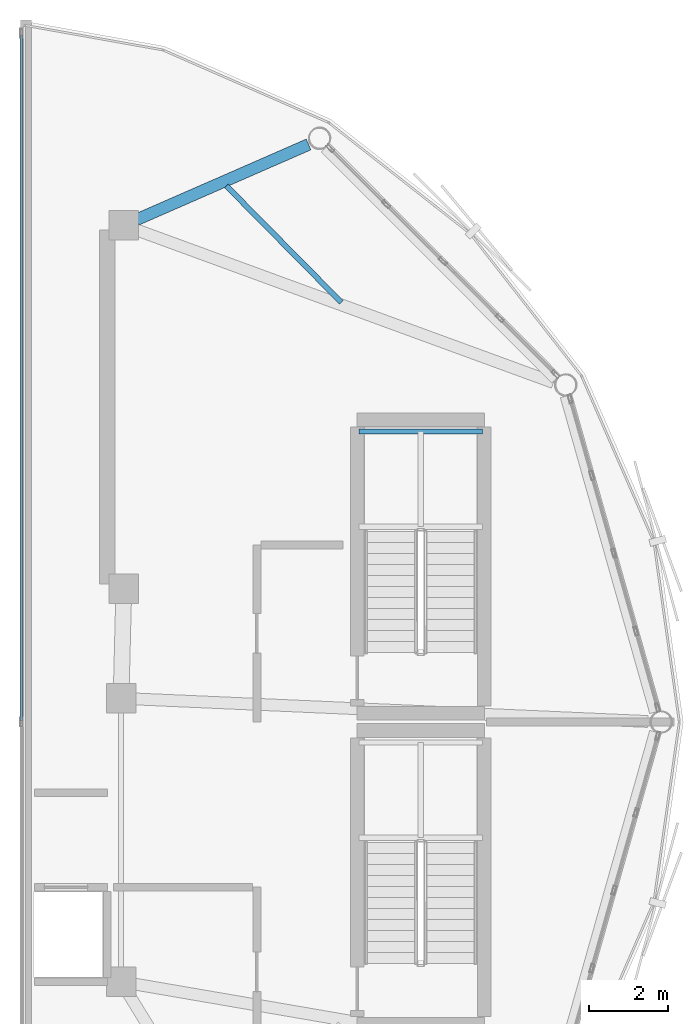
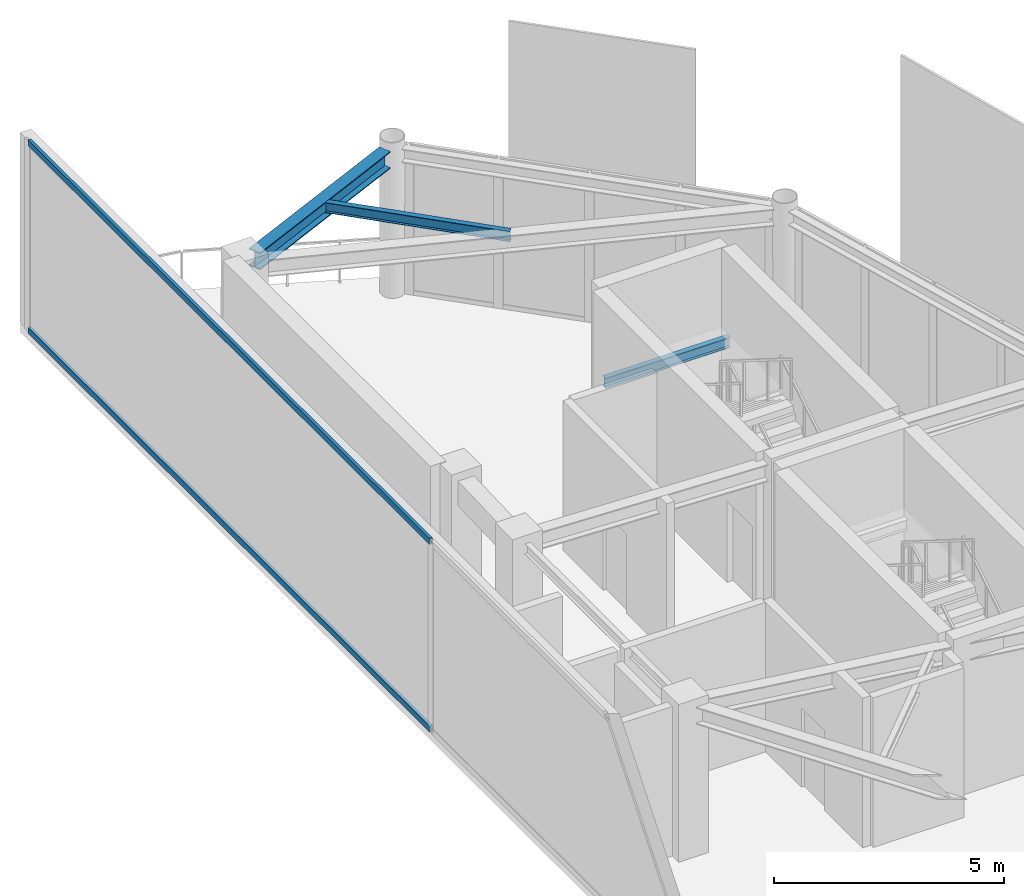
# One storey, part 7 of 13: 3 beams, 2 members, 1 element without a shape of its own.
"""IFC4 building model written with IfcOpenShell, lengths in metres."""

from ifc_helpers import new_model, si_unit, direction, frame, origin, origin_2d, place, context, subcontext, project, spatial, hollow_rectangle, i_section, extrude, material, layer, layer_set, material_profile, profile_set, type_object, element, aggregate, save


model = new_model("IFC4")

# Units and contexts
model_context = context("Model", 3, precision=1e-05, world=origin(), true_north=direction((0.0, 1.0)))
body_context = subcontext(model_context, "Body", "Model", "MODEL_VIEW")
ifc_project = project(units=[si_unit("LENGTHUNIT", "METRE"), si_unit("AREAUNIT", "SQUARE_METRE"), si_unit("VOLUMEUNIT", "CUBIC_METRE"), si_unit("PLANEANGLEUNIT", "RADIAN"), si_unit("MASSUNIT", "GRAM", prefix="KILO")], contexts=[model_context])

# Site, building, storey
site_placement = place(None, origin())
site = spatial("IfcSite", under=ifc_project, at=site_placement, CompositionType="ELEMENT")
building_placement = place(site_placement, origin())
building = spatial("IfcBuilding", under=site, at=building_placement, Name="Varnakorn Sky Granary", CompositionType="ELEMENT")
storey_placement = place(building_placement, frame((0.0, 0.0, 315.0)))
storey = spatial("IfcBuildingStorey", under=building, at=storey_placement, Name="L80", CompositionType="ELEMENT", Elevation=315.0)

# Beams
ifc_material_1 = material(Name="Steel S355JR", Category="steel")
ifc_material_profile_1 = material_profile(ifc_material_1, i_section(OverallWidth=0.135009765625, OverallDepth=0.27001953125, WebThickness=0.006591796875, FlangeThickness=0.01025390625, at=origin_2d()), Name="IPE 270")
ifc_profile_set_1 = profile_set([ifc_material_profile_1], Name="Steel S355JR")
beam_type_1 = type_object("IfcBeamType", Name="BM-LND-270", PredefinedType="BEAM", material=ifc_profile_set_1)
beam_1_placement = place(storey_placement, frame((14.39990234375, 7.3798828125, 1.764892578125), z_axis=(1.0, 0.0, 0.0), x_axis=(0.0, 1.0, 0.0)))
element("IfcBeam", 1, at=beam_1_placement, inside=storey, type_object=beam_type_1, Name="Stair ST-C1 Landing Trimmer Beam B L80-1", PredefinedType="BEAM", context=body_context, shape_type="SweptSolid", body=[
    extrude(i_section(OverallWidth=0.135009765625, OverallDepth=0.27001953125, WebThickness=0.006591796875, FlangeThickness=0.01025390625, at=origin_2d()), origin(), (0.0, 0.0, 1.0), 3.130126953125),
])
ifc_material_profile_2 = material_profile(ifc_material_1, i_section(OverallWidth=0.300048828125, OverallDepth=0.449951171875, WebThickness=0.013916015625, FlangeThickness=0.02587890625, at=origin_2d()), Name="HE 450 B")
ifc_profile_set_2 = profile_set([ifc_material_profile_2], Name="Steel S355JR")
beam_type_2 = type_object("IfcBeamType", Name="BM-RAD-Z5", PredefinedType="BEAM", material=ifc_profile_set_2)
beam_2_placement = place(storey_placement, frame((8.745361328125, 12.76220703125, 3.735107421875), z_axis=(0.916266564139, 0.400569074495, 0.0), x_axis=(-0.400569074495, 0.916266564139, 0.0)))
element("IfcBeam", 2, at=beam_2_placement, inside=storey, type_object=beam_type_2, Name="Radial Floor Girder RG03 L80", PredefinedType="BEAM", context=body_context, shape_type="SweptSolid", body=[
    extrude(i_section(OverallWidth=0.300048828125, OverallDepth=0.449951171875, WebThickness=0.013916015625, FlangeThickness=0.02587890625, at=origin_2d()), origin(), (0.0, 0.0, 1.0), 4.769287109375),
])
ifc_material_profile_3 = material_profile(ifc_material_1, i_section(OverallWidth=0.135009765625, OverallDepth=0.27001953125, WebThickness=0.006591796875, FlangeThickness=0.01025390625, at=origin_2d()), Name="IPE 270")
ifc_profile_set_3 = profile_set([ifc_material_profile_3], Name="Steel S355JR")
beam_type_3 = type_object("IfcBeamType", Name="BM-SEC-Z5", PredefinedType="BEAM", material=ifc_profile_set_3)
beam_3_placement = place(storey_placement, frame((13.947021484375, 10.660400390625, 3.824951171875), z_axis=(-0.702390534271, 0.711791779502, 0.0), x_axis=(-0.711791779502, -0.702390534271, 0.0)))
element("IfcBeam", 3, at=beam_3_placement, inside=storey, type_object=beam_type_3, Name="Secondary Floor Chord Beam MSB02 L80", PredefinedType="BEAM", context=body_context, shape_type="SweptSolid", body=[
    extrude(i_section(OverallWidth=0.135009765625, OverallDepth=0.27001953125, WebThickness=0.006591796875, FlangeThickness=0.01025390625, at=origin_2d()), origin(), (0.0, 0.0, 1.0), 4.155029296875),
])

# Curtain wall, members
ifc_material_2 = material(Name="Anodised Bronze Aluminium Alloy 6063-T6", Category="aluminium")
ifc_layer = layer(ifc_material_2, 0.22998046875, Name="Anodised Bronze Aluminium Alloy 6063-T6")
ifc_layer_set = layer_set([ifc_layer], Name="Anodised Bronze Aluminium Alloy 6063-T6")
curtain_wall_type = type_object("IfcCurtainWallType", Name="CW-LNT-1", PredefinedType="USERDEFINED", material=ifc_layer_set)
curtain_wall_placement = place(storey_placement, origin())
curtain_wall = element("IfcCurtainWall", 4, at=curtain_wall_placement, inside=storey, type_object=curtain_wall_type, Name="Unitised Curtain Wall CW7 CW-L80-SLANT", ObjectType="CURTAIN WALL", PredefinedType="USERDEFINED")
ifc_material_profile_4 = material_profile(ifc_material_2, hollow_rectangle(XDim=0.074951171875, YDim=0.159912109375, WallThickness=0.00390625, at=origin_2d()), Name="ALU TRAN 75x160")
ifc_profile_set_4 = profile_set([ifc_material_profile_4], Name="Anodised Bronze Aluminium Alloy 6063-T6")
member_type = type_object("IfcMemberType", Name="CW-LNT-1-TRAN", PredefinedType="USERDEFINED", material=ifc_profile_set_4)
member_1_placement = place(storey_placement, frame((5.820068359375, 0.03759765625, 0.03759765625), z_axis=(0.0, 1.0, 0.0), x_axis=(-1.0, 0.0, 0.0)))
member_1 = element("IfcMember", 5, at=member_1_placement, type_object=member_type, Name="CW7 transom 2.1", ObjectType="TRANSOM", PredefinedType="USERDEFINED", context=body_context, shape_type="SweptSolid", body=[
    extrude(hollow_rectangle(XDim=0.074951171875, YDim=0.159912109375, WallThickness=0.00390625, at=origin_2d()), origin(), (0.0, 0.0, 1.0), 17.4228515625),
])
member_2_placement = place(storey_placement, frame((5.820068359375, 0.03759765625, 5.00634765625), z_axis=(0.0, 1.0, 0.0), x_axis=(-1.0, 0.0, 0.0)))
member_2 = element("IfcMember", 6, at=member_2_placement, type_object=member_type, Name="CW7 transom 2.2", ObjectType="TRANSOM", PredefinedType="USERDEFINED", context=body_context, shape_type="SweptSolid", body=[
    extrude(hollow_rectangle(XDim=0.074951171875, YDim=0.159912109375, WallThickness=0.00390625, at=origin_2d()), origin(), (0.0, 0.0, 1.0), 17.4228515625),
])
aggregate(curtain_wall, [member_1, member_2])

save(model, "model.ifc")
